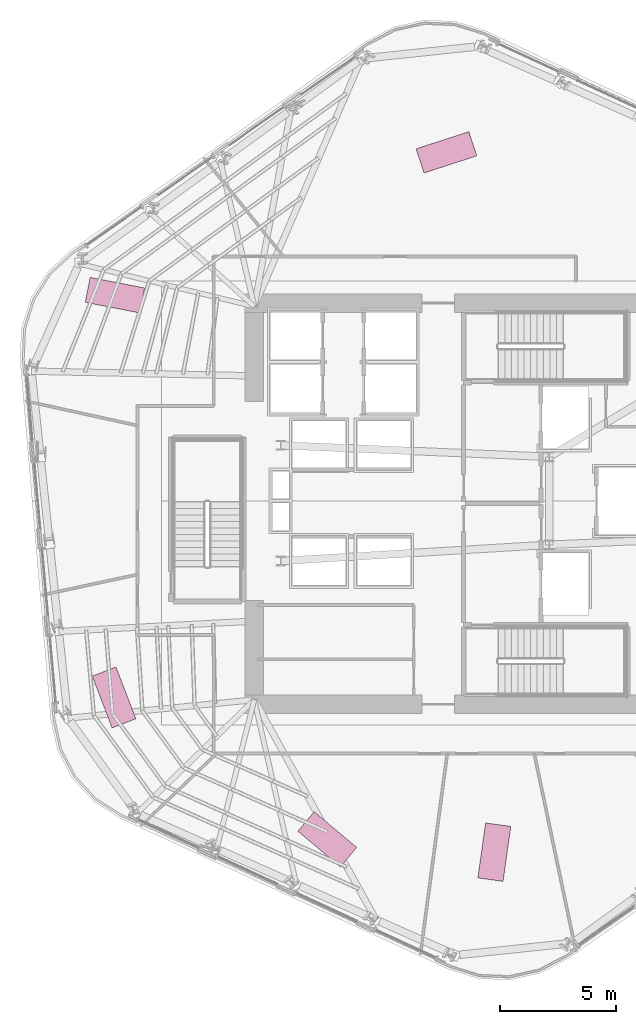
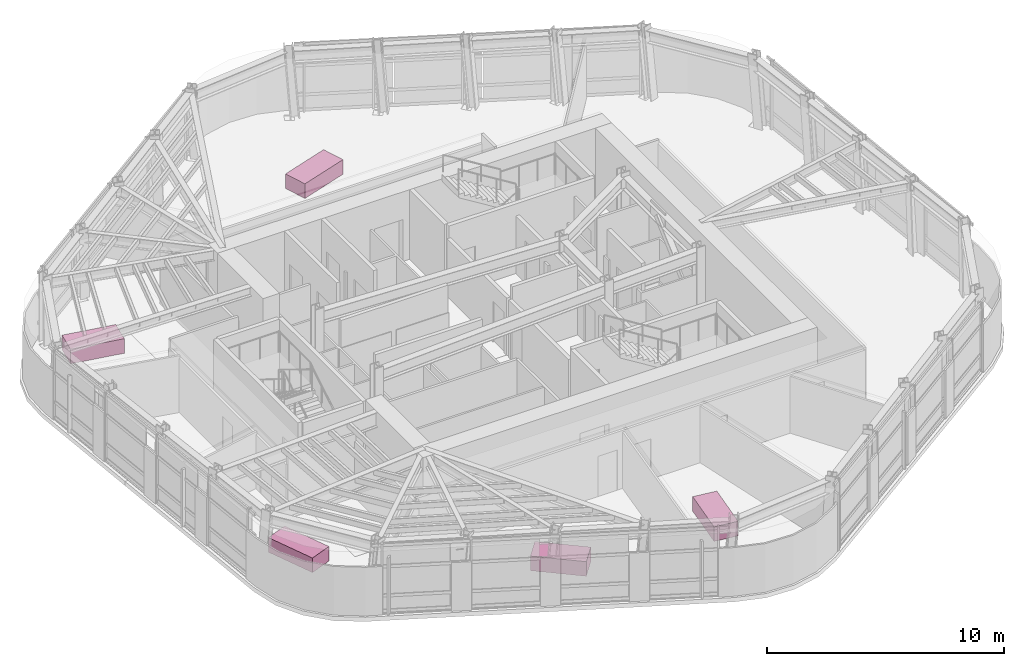
# One storey, part 14 of 14: 5 furniture elements.
"""IFC4 building model written with IfcOpenShell, lengths in metres."""

from ifc_helpers import new_model, si_unit, direction, frame, origin, origin_2d, place, context, subcontext, project, spatial, rectangle, extrude, material, type_object, element, save


model = new_model("IFC4")

# Units and contexts
model_context = context("Model", 3, precision=1e-05, world=origin(), true_north=direction((0.0, 1.0)))
body_context = subcontext(model_context, "Body", "Model", "MODEL_VIEW")
ifc_project = project(units=[si_unit("LENGTHUNIT", "METRE"), si_unit("AREAUNIT", "SQUARE_METRE"), si_unit("VOLUMEUNIT", "CUBIC_METRE"), si_unit("PLANEANGLEUNIT", "RADIAN"), si_unit("MASSUNIT", "GRAM", prefix="KILO")], contexts=[model_context])

# Site, building, storey
site_placement = place(None, origin())
site = spatial("IfcSite", under=ifc_project, at=site_placement, CompositionType="ELEMENT")
building_placement = place(site_placement, origin())
building = spatial("IfcBuilding", under=site, at=building_placement, Name="Valkerne Bourse Tower", CompositionType="ELEMENT")
storey_placement = place(building_placement, frame((0.0, 0.0, 174.199951171875)))
storey = spatial("IfcBuildingStorey", under=building, at=storey_placement, Name="L44", CompositionType="ELEMENT", Elevation=174.199951171875)

# Furniture
ifc_material = material(Name="Architectural White Oak Timber", Category="wood")
furniture_type = type_object("IfcFurnitureType", Name="FURN-DESK-2400", AssemblyPlace="NOTDEFINED", PredefinedType="DESK", material=ifc_material)
for number, where, z_axis, x_axis, name in (
    (1, (47.97802734375, 11.81298828125, 0.045166015625), (0.0, 0.0, 1.0), (0.13917310096, 0.990268068742, 0.0), "L44 Suite Worktable 06"),
    (2, (31.5400390625, 18.5, 0.045166015625), (0.0, 0.0, 1.0), (-0.358367949545, 0.933580426497, 0.0), "L44 Suite Worktable 07"),
    (3, (40.758056640625, 12.367919921875, 0.045166015625), (0.0, 0.0, 1.0), (-0.766044443119, 0.642787609687, 0.0), "L44 Suite Worktable 08"),
    (4, (31.577880859375, 35.889892578125, 0.045166015625), (0.0, 0.0, 1.0), (-0.981627183448, 0.190808995377, 0.0), "L44 Suite Worktable 09"),
    (5, (45.907958984375, 42.06201171875, 0.045166015625), (0.0, 0.0, 1.0), (0.951056516295, 0.309016994375, 0.0), "L44 Suite Worktable 10"),
):
    element("IfcFurniture", number, at=place(storey_placement, frame(where, z_axis=z_axis, x_axis=x_axis)), inside=storey, type_object=furniture_type, Name=name, PredefinedType="DESK", context=body_context, shape_type="SweptSolid", body=[
        extrude(rectangle(XDim=2.39990234375, YDim=1.10009765625, at=origin_2d()), origin(), (0.0, 0.0, 1.0), 0.75),
    ])

save(model, "model.ifc")
